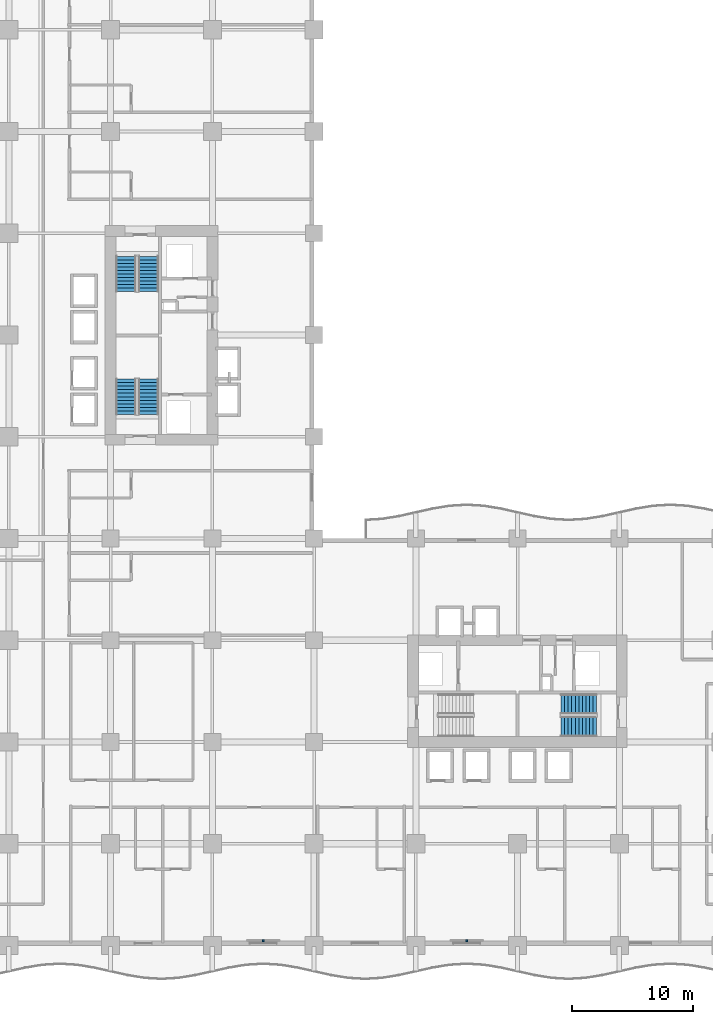
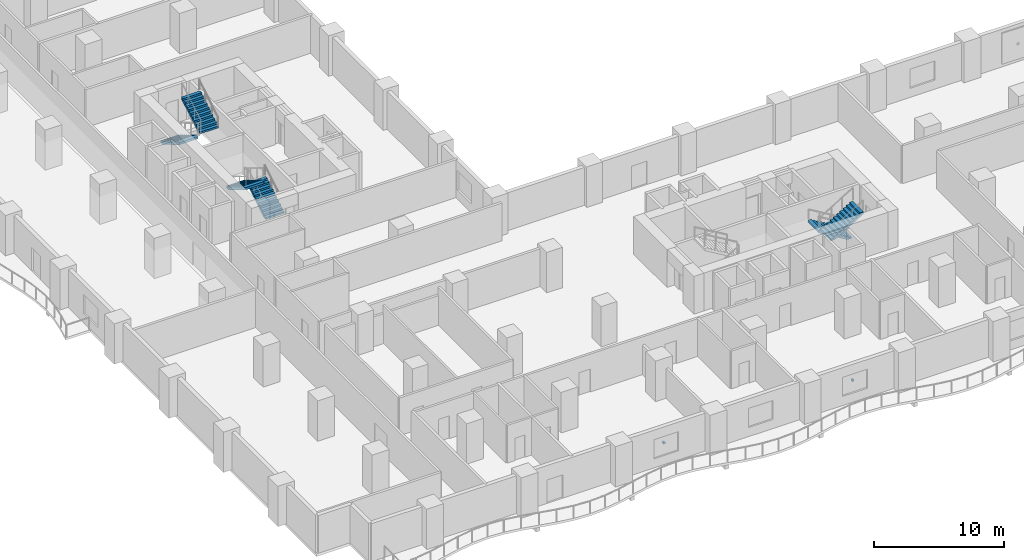
# One storey, part 19 of 27: 6 stair flights, 2 discrete accessories, 3 elements without a shape of their own.
"""IFC4 building model written with IfcOpenShell, lengths in metres."""

from ifc_helpers import new_model, si_unit, direction, frame, origin, origin_2d, place, context, subcontext, project, spatial, polyline, rectangle, outline, extrude, material, type_object, element, aggregate, save


model = new_model("IFC4")

# Units and contexts
model_context = context("Model", 3, precision=1e-05, world=origin(), true_north=direction((0.0, 1.0)))
body_context = subcontext(model_context, "Body", "Model", "MODEL_VIEW")
ifc_project = project(units=[si_unit("LENGTHUNIT", "METRE"), si_unit("AREAUNIT", "SQUARE_METRE"), si_unit("VOLUMEUNIT", "CUBIC_METRE"), si_unit("PLANEANGLEUNIT", "RADIAN"), si_unit("MASSUNIT", "GRAM", prefix="KILO")], contexts=[model_context])

# Site, building, storey
site_placement = place(None, origin())
site = spatial("IfcSite", under=ifc_project, at=site_placement, CompositionType="ELEMENT")
building_placement = place(site_placement, origin())
building = spatial("IfcBuilding", under=site, at=building_placement, Name="Koriwani Terraces Tower", CompositionType="ELEMENT")
storey_placement = place(building_placement, frame((0.0, 0.0, 54.800048828125)))
storey = spatial("IfcBuildingStorey", under=building, at=storey_placement, Name="L12", CompositionType="ELEMENT", Elevation=54.800048828125)

# Stair, stair flights
ifc_material_1 = material(Name="Concrete C40/50", Category="concrete")
stair_type = type_object("IfcStairType", Name="STAIR_CORE_DOGLEG_1650", PredefinedType="TWO_STRAIGHT_RUN_STAIR", material=ifc_material_1)
stair_1_placement = place(storey_placement, origin())
stair_1 = element("IfcStair", 1, at=stair_1_placement, inside=storey, type_object=stair_type, Name="L12 West Core Exit Stair 1", PredefinedType="HALF_TURN_STAIR")
stair_flight_type = type_object("IfcStairFlightType", Name="STAIR_FLIGHT_RC_1650", PredefinedType="STRAIGHT", material=ifc_material_1)
stair_flight_1_placement = place(storey_placement, frame((19.925048828125, 43.85009765625, 0.0), z_axis=(0.0, 0.0, 1.0), x_axis=(0.0, 1.0, 0.0)))
stair_flight_1 = element("IfcStairFlight", 2, at=stair_flight_1_placement, type_object=stair_flight_type, Name="ST-W1 flight 1", NumberOfRisers=11, NumberOfTreads=10, PredefinedType="STRAIGHT", RiserHeight=0.172727273, TreadLength=0.29, context=body_context, shape_type="SweptSolid", body=[
    extrude(outline(polyline([(0.0, 0.0), (0.0, 0.172607421875), (0.2900390625, 0.172607421875), (0.2900390625, 0.345458984375), (0.580078125, 0.345458984375), (0.580078125, 0.51806640625), (0.8701171875, 0.51806640625), (0.8701171875, 0.69091796875), (1.159912109375, 0.69091796875), (1.159912109375, 0.863525390625), (1.449951171875, 0.863525390625), (1.449951171875, 1.036376953125), (1.739990234375, 1.036376953125), (1.739990234375, 1.208984375), (2.030029296875, 1.208984375), (2.030029296875, 1.3818359375), (2.320068359375, 1.3818359375), (2.320068359375, 1.554443359375), (2.610107421875, 1.554443359375), (2.610107421875, 1.727294921875), (2.89990234375, 1.727294921875), (2.89990234375, 1.89990234375), (2.89990234375, 1.517822265625), (0.3515625, 0.0), (0.0, 0.0)])), frame((0.0, 0.824951171875, 0.0), z_axis=(0.0, -1.0, 0.0), x_axis=(1.0, 0.0, 0.0)), (0.0, 0.0, 1.0), 1.64990234375),
])
stair_flight_2_placement = place(storey_placement, frame((18.074951171875, 46.75, 1.89990234375), z_axis=(0.0, 0.0, 1.0), x_axis=(0.0, -1.0, 0.0)))
stair_flight_2 = element("IfcStairFlight", 3, at=stair_flight_2_placement, type_object=stair_flight_type, Name="ST-W1 flight 2", NumberOfRisers=11, NumberOfTreads=10, PredefinedType="STRAIGHT", RiserHeight=0.172727273, TreadLength=0.29, context=body_context, shape_type="SweptSolid", body=[
    extrude(outline(polyline([(0.0, 0.0), (0.0, 0.172607421875), (0.2900390625, 0.172607421875), (0.2900390625, 0.345458984375), (0.580078125, 0.345458984375), (0.580078125, 0.51806640625), (0.8701171875, 0.51806640625), (0.8701171875, 0.69091796875), (1.159912109375, 0.69091796875), (1.159912109375, 0.863525390625), (1.449951171875, 0.863525390625), (1.449951171875, 1.036376953125), (1.739990234375, 1.036376953125), (1.739990234375, 1.208984375), (2.030029296875, 1.208984375), (2.030029296875, 1.3818359375), (2.320068359375, 1.3818359375), (2.320068359375, 1.554443359375), (2.610107421875, 1.554443359375), (2.610107421875, 1.727294921875), (2.89990234375, 1.727294921875), (2.89990234375, 1.89990234375), (2.89990234375, 1.517822265625), (0.3515625, 0.0), (0.0, 0.0)])), frame((0.0, 0.824951171875, 0.0), z_axis=(0.0, -1.0, 0.0), x_axis=(1.0, 0.0, 0.0)), (0.0, 0.0, 1.0), 1.64990234375),
])
aggregate(stair_1, [stair_flight_1, stair_flight_2])

stair_2_placement = place(storey_placement, origin())
stair_2 = element("IfcStair", 4, at=stair_2_placement, inside=storey, type_object=stair_type, Name="L12 West Core Exit Stair 2", PredefinedType="HALF_TURN_STAIR")
stair_flight_3_placement = place(storey_placement, frame((18.074951171875, 56.89990234375, 0.0), z_axis=(0.0, 0.0, 1.0), x_axis=(0.0, -1.0, 0.0)))
stair_flight_3 = element("IfcStairFlight", 5, at=stair_flight_3_placement, type_object=stair_flight_type, Name="ST-W2 flight 1", NumberOfRisers=11, NumberOfTreads=10, PredefinedType="STRAIGHT", RiserHeight=0.172727273, TreadLength=0.29, context=body_context, shape_type="SweptSolid", body=[
    extrude(outline(polyline([(0.0, 0.0), (0.0, 0.172607421875), (0.2900390625, 0.172607421875), (0.2900390625, 0.345458984375), (0.580078125, 0.345458984375), (0.580078125, 0.51806640625), (0.8701171875, 0.51806640625), (0.8701171875, 0.69091796875), (1.159912109375, 0.69091796875), (1.159912109375, 0.863525390625), (1.449951171875, 0.863525390625), (1.449951171875, 1.036376953125), (1.739990234375, 1.036376953125), (1.739990234375, 1.208984375), (2.030029296875, 1.208984375), (2.030029296875, 1.3818359375), (2.320068359375, 1.3818359375), (2.320068359375, 1.554443359375), (2.610107421875, 1.554443359375), (2.610107421875, 1.727294921875), (2.89990234375, 1.727294921875), (2.89990234375, 1.89990234375), (2.89990234375, 1.517822265625), (0.3515625, 0.0), (0.0, 0.0)])), frame((0.0, 0.824951171875, 0.0), z_axis=(0.0, -1.0, 0.0), x_axis=(1.0, 0.0, 0.0)), (0.0, 0.0, 1.0), 1.64990234375),
])
stair_flight_4_placement = place(storey_placement, frame((19.925048828125, 54.0, 1.89990234375), z_axis=(0.0, 0.0, 1.0), x_axis=(0.0, 1.0, 0.0)))
stair_flight_4 = element("IfcStairFlight", 6, at=stair_flight_4_placement, type_object=stair_flight_type, Name="ST-W2 flight 2", NumberOfRisers=11, NumberOfTreads=10, PredefinedType="STRAIGHT", RiserHeight=0.172727273, TreadLength=0.29, context=body_context, shape_type="SweptSolid", body=[
    extrude(outline(polyline([(0.0, 0.0), (0.0, 0.172607421875), (0.2900390625, 0.172607421875), (0.2900390625, 0.345458984375), (0.580078125, 0.345458984375), (0.580078125, 0.51806640625), (0.8701171875, 0.51806640625), (0.8701171875, 0.69091796875), (1.159912109375, 0.69091796875), (1.159912109375, 0.863525390625), (1.449951171875, 0.863525390625), (1.449951171875, 1.036376953125), (1.739990234375, 1.036376953125), (1.739990234375, 1.208984375), (2.030029296875, 1.208984375), (2.030029296875, 1.3818359375), (2.320068359375, 1.3818359375), (2.320068359375, 1.554443359375), (2.610107421875, 1.554443359375), (2.610107421875, 1.727294921875), (2.89990234375, 1.727294921875), (2.89990234375, 1.89990234375), (2.89990234375, 1.517822265625), (0.3515625, 0.0), (0.0, 0.0)])), frame((0.0, 0.824951171875, 0.0), z_axis=(0.0, -1.0, 0.0), x_axis=(1.0, 0.0, 0.0)), (0.0, 0.0, 1.0), 1.64990234375),
])
aggregate(stair_2, [stair_flight_3, stair_flight_4])

stair_3_placement = place(storey_placement, origin())
stair_3 = element("IfcStair", 7, at=stair_3_placement, inside=storey, type_object=stair_type, Name="L12 East Core Exit Stair 2", PredefinedType="HALF_TURN_STAIR")
stair_flight_5_placement = place(storey_placement, frame((56.89990234375, 19.925048828125, 0.0), z_axis=(0.0, 0.0, 1.0), x_axis=(-1.0, 0.0, 0.0)))
stair_flight_5 = element("IfcStairFlight", 8, at=stair_flight_5_placement, type_object=stair_flight_type, Name="ST-E2 flight 1", NumberOfRisers=11, NumberOfTreads=10, PredefinedType="STRAIGHT", RiserHeight=0.172727273, TreadLength=0.29, context=body_context, shape_type="SweptSolid", body=[
    extrude(outline(polyline([(0.0, 0.0), (0.0, 0.172607421875), (0.2900390625, 0.172607421875), (0.2900390625, 0.345458984375), (0.580078125, 0.345458984375), (0.580078125, 0.51806640625), (0.8701171875, 0.51806640625), (0.8701171875, 0.69091796875), (1.159912109375, 0.69091796875), (1.159912109375, 0.863525390625), (1.449951171875, 0.863525390625), (1.449951171875, 1.036376953125), (1.739990234375, 1.036376953125), (1.739990234375, 1.208984375), (2.030029296875, 1.208984375), (2.030029296875, 1.3818359375), (2.320068359375, 1.3818359375), (2.320068359375, 1.554443359375), (2.610107421875, 1.554443359375), (2.610107421875, 1.727294921875), (2.89990234375, 1.727294921875), (2.89990234375, 1.89990234375), (2.89990234375, 1.517822265625), (0.3515625, 0.0), (0.0, 0.0)])), frame((0.0, 0.824951171875, 0.0), z_axis=(0.0, -1.0, 0.0), x_axis=(1.0, 0.0, 0.0)), (0.0, 0.0, 1.0), 1.64990234375),
])
stair_flight_6_placement = place(storey_placement, frame((54.0, 18.074951171875, 1.89990234375), z_axis=(0.0, 0.0, 1.0), x_axis=(1.0, 0.0, 0.0)))
stair_flight_6 = element("IfcStairFlight", 9, at=stair_flight_6_placement, type_object=stair_flight_type, Name="ST-E2 flight 2", NumberOfRisers=11, NumberOfTreads=10, PredefinedType="STRAIGHT", RiserHeight=0.172727273, TreadLength=0.29, context=body_context, shape_type="SweptSolid", body=[
    extrude(outline(polyline([(0.0, 0.0), (0.0, 0.172607421875), (0.2900390625, 0.172607421875), (0.2900390625, 0.345458984375), (0.580078125, 0.345458984375), (0.580078125, 0.51806640625), (0.8701171875, 0.51806640625), (0.8701171875, 0.69091796875), (1.159912109375, 0.69091796875), (1.159912109375, 0.863525390625), (1.449951171875, 0.863525390625), (1.449951171875, 1.036376953125), (1.739990234375, 1.036376953125), (1.739990234375, 1.208984375), (2.030029296875, 1.208984375), (2.030029296875, 1.3818359375), (2.320068359375, 1.3818359375), (2.320068359375, 1.554443359375), (2.610107421875, 1.554443359375), (2.610107421875, 1.727294921875), (2.89990234375, 1.727294921875), (2.89990234375, 1.89990234375), (2.89990234375, 1.517822265625), (0.3515625, 0.0), (0.0, 0.0)])), frame((0.0, 0.824951171875, 0.0), z_axis=(0.0, -1.0, 0.0), x_axis=(1.0, 0.0, 0.0)), (0.0, 0.0, 1.0), 1.64990234375),
])
aggregate(stair_3, [stair_flight_5, stair_flight_6])

# Discrete accessories
ifc_material_2 = material(Name="Steel ASTM A572 Grade 50", Category="steel")
discrete_accessory_type = type_object("IfcDiscreteAccessoryType", Name="BAGUETTE_STANDOFF_BRACKET", PredefinedType="BRACKET", material=ifc_material_2)
for number, where, z_axis, x_axis, name in (
    (10, (29.39990234375, 0.389892578125, 1.68505859375), (0.0, 0.0, 1.0), (-1.0, 0.0, 0.0), "L12 Terracotta Baguette Bracket (S-9)"),
    (11, (46.199951171875, 0.389892578125, 1.68505859375), (0.0, 0.0, 1.0), (-1.0, 0.0, 0.0), "L12 Terracotta Baguette Bracket (S-15)"),
):
    element("IfcDiscreteAccessory", number, at=place(storey_placement, frame(where, z_axis=z_axis, x_axis=x_axis)), inside=storey, type_object=discrete_accessory_type, Name=name, PredefinedType="BRACKET", context=body_context, shape_type="SweptSolid", body=[
        extrude(rectangle(XDim=0.159912109375, YDim=0.199951171875, at=origin_2d()), origin(), (0.0, 0.0, 1.0), 0.179931640625),
    ])

save(model, "model.ifc")
